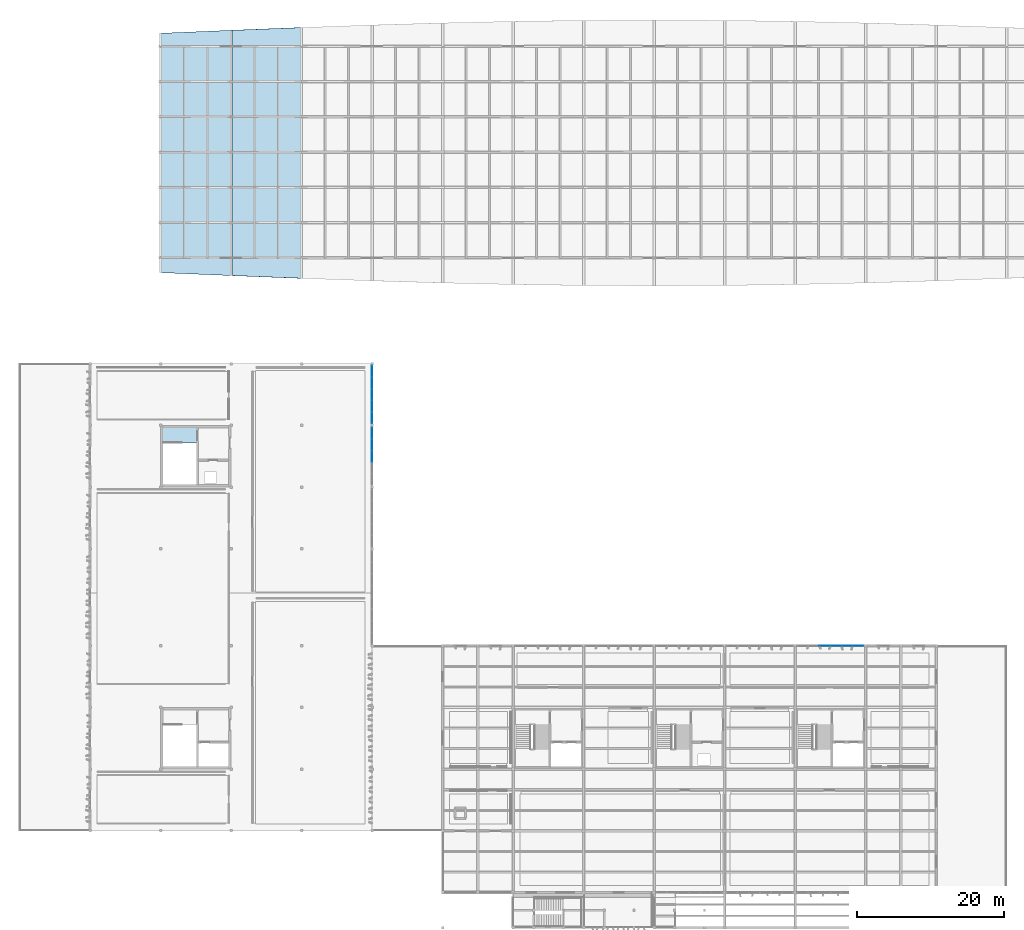
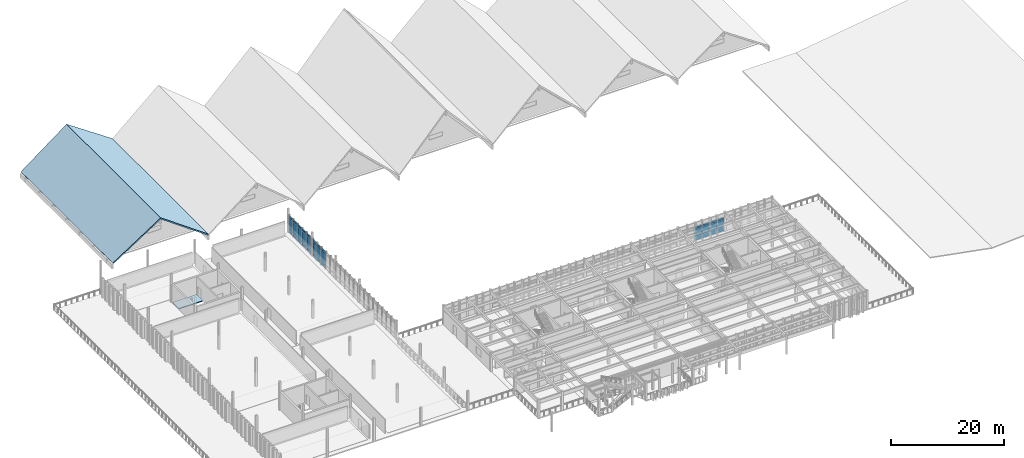
# One storey, part 21 of 42: 36 plates, 3 slabs, 3 elements without a shape of their own.
"""IFC4 building model written with IfcOpenShell, lengths in metres."""

from ifc_helpers import new_model, si_unit, direction, frame, origin, origin_2d, place, context, subcontext, project, spatial, polyline, rectangle, outline, extrude, material, layer, layer_set, type_object, element, aggregate, save


model = new_model("IFC4")

# Units and contexts
model_context = context("Model", 3, precision=1e-05, world=origin(), true_north=direction((0.0, 1.0)))
body_context = subcontext(model_context, "Body", "Model", "MODEL_VIEW")
ifc_project = project(units=[si_unit("LENGTHUNIT", "METRE"), si_unit("AREAUNIT", "SQUARE_METRE"), si_unit("VOLUMEUNIT", "CUBIC_METRE"), si_unit("PLANEANGLEUNIT", "RADIAN"), si_unit("MASSUNIT", "GRAM", prefix="KILO")], contexts=[model_context])

# Site, building, storey
site_placement = place(None, origin())
site = spatial("IfcSite", under=ifc_project, at=site_placement, CompositionType="ELEMENT")
building_placement = place(site_placement, origin())
building = spatial("IfcBuilding", under=site, at=building_placement, Name="Kolvemor Railside Polytechnic", CompositionType="ELEMENT")
storey_placement = place(building_placement, frame((0.0, 0.0, 14.39990234375)))
storey = spatial("IfcBuildingStorey", under=building, at=storey_placement, Name="L03", CompositionType="ELEMENT", Elevation=14.39990234375)

# Curtain wall, plates
ifc_material_1 = material(Name="Anodised marine aluminium and laminated low-E glass", Category="aluminium")
ifc_layer_1 = layer(ifc_material_1, 0.179931640625, Name="CW-UNIT-STD")
ifc_layer_set_1 = layer_set([ifc_layer_1], Name="Anodised marine aluminium and laminated low-E glass")
curtain_wall_type = type_object("IfcCurtainWallType", Name="CW-UNIT-STD", PredefinedType="USERDEFINED", material=ifc_layer_set_1)
curtain_wall_1_placement = place(storey_placement, origin())
curtain_wall_1 = element("IfcCurtainWall", 1, at=curtain_wall_1_placement, inside=storey, type_object=curtain_wall_type, Name="Curtain Wall L03-078", ObjectType="UNITISED CURTAIN WALL", PredefinedType="USERDEFINED")
ifc_material_2 = material(Name="Hurricane-laminated solar-control low-E glass", Category="glass")
ifc_layer_2 = layer(ifc_material_2, 0.0400390625, Name="CWP-GLZ-10")
ifc_layer_set_2 = layer_set([ifc_layer_2], Name="Hurricane-laminated solar-control low-E glass")
plate_type_1 = type_object("IfcPlateType", Name="CWP-GLZ-10", PredefinedType="CURTAIN_PANEL", material=ifc_layer_set_2)
plate_1_placement = place(storey_placement, frame((48.0, 64.199951171875, 0.06494140625), z_axis=(0.0, 0.0, 1.0), x_axis=(0.0, 1.0, 0.0)))
plate_1 = element("IfcPlate", 2, at=plate_1_placement, type_object=plate_type_1, Name="CW-STD panel 3.1", PredefinedType="CURTAIN_PANEL", context=body_context, shape_type="SweptSolid", body=[
    extrude(rectangle(XDim=1.51904296875, YDim=0.0400390625, at=origin_2d()), origin(), (0.0, 0.0, 1.0), 0.802490234375),
])
plate_2_placement = place(storey_placement, frame((48.0, 64.199951171875, 0.9326171875), z_axis=(0.0, 0.0, 1.0), x_axis=(0.0, 1.0, 0.0)))
plate_2 = element("IfcPlate", 3, at=plate_2_placement, type_object=plate_type_1, Name="CW-STD panel 3.2", PredefinedType="CURTAIN_PANEL", context=body_context, shape_type="SweptSolid", body=[
    extrude(rectangle(XDim=1.51904296875, YDim=0.0400390625, at=origin_2d()), origin(), (0.0, 0.0, 1.0), 2.284912109375),
])
plate_3_placement = place(storey_placement, frame((48.0, 64.199951171875, 3.28271484375), z_axis=(0.0, 0.0, 1.0), x_axis=(0.0, 1.0, 0.0)))
plate_3 = element("IfcPlate", 4, at=plate_3_placement, type_object=plate_type_1, Name="CW-STD panel 3.3", PredefinedType="CURTAIN_PANEL", context=body_context, shape_type="SweptSolid", body=[
    extrude(rectangle(XDim=1.51904296875, YDim=0.0400390625, at=origin_2d()), origin(), (0.0, 0.0, 1.0), 0.452392578125),
])
plate_4_placement = place(storey_placement, frame((48.0, 65.783935546875, 0.06494140625), z_axis=(0.0, 0.0, 1.0), x_axis=(0.0, 1.0, 0.0)))
plate_4 = element("IfcPlate", 5, at=plate_4_placement, type_object=plate_type_1, Name="CW-STD panel 4.1", PredefinedType="CURTAIN_PANEL", context=body_context, shape_type="SweptSolid", body=[
    extrude(rectangle(XDim=1.51904296875, YDim=0.0400390625, at=origin_2d()), origin(), (0.0, 0.0, 1.0), 0.802490234375),
])
plate_5_placement = place(storey_placement, frame((48.0, 65.783935546875, 0.9326171875), z_axis=(0.0, 0.0, 1.0), x_axis=(0.0, 1.0, 0.0)))
plate_5 = element("IfcPlate", 6, at=plate_5_placement, type_object=plate_type_1, Name="CW-STD panel 4.2", PredefinedType="CURTAIN_PANEL", context=body_context, shape_type="SweptSolid", body=[
    extrude(rectangle(XDim=1.51904296875, YDim=0.0400390625, at=origin_2d()), origin(), (0.0, 0.0, 1.0), 2.284912109375),
])
plate_6_placement = place(storey_placement, frame((48.0, 65.783935546875, 3.28271484375), z_axis=(0.0, 0.0, 1.0), x_axis=(0.0, 1.0, 0.0)))
plate_6 = element("IfcPlate", 7, at=plate_6_placement, type_object=plate_type_1, Name="CW-STD panel 4.3", PredefinedType="CURTAIN_PANEL", context=body_context, shape_type="SweptSolid", body=[
    extrude(rectangle(XDim=1.51904296875, YDim=0.0400390625, at=origin_2d()), origin(), (0.0, 0.0, 1.0), 0.452392578125),
])
plate_7_placement = place(storey_placement, frame((48.0, 67.351806640625, 0.06494140625), z_axis=(0.0, 0.0, 1.0), x_axis=(0.0, 1.0, 0.0)))
plate_7 = element("IfcPlate", 8, at=plate_7_placement, type_object=plate_type_1, Name="CW-STD panel 5.1", PredefinedType="CURTAIN_PANEL", context=body_context, shape_type="SweptSolid", body=[
    extrude(rectangle(XDim=1.486572265625, YDim=0.0400390625, at=origin_2d()), origin(), (0.0, 0.0, 1.0), 0.802490234375),
])
plate_8_placement = place(storey_placement, frame((48.0, 67.351806640625, 0.9326171875), z_axis=(0.0, 0.0, 1.0), x_axis=(0.0, 1.0, 0.0)))
plate_8 = element("IfcPlate", 9, at=plate_8_placement, type_object=plate_type_1, Name="CW-STD panel 5.2", PredefinedType="CURTAIN_PANEL", context=body_context, shape_type="SweptSolid", body=[
    extrude(rectangle(XDim=1.486572265625, YDim=0.0400390625, at=origin_2d()), origin(), (0.0, 0.0, 1.0), 2.284912109375),
])
plate_9_placement = place(storey_placement, frame((48.0, 67.351806640625, 3.28271484375), z_axis=(0.0, 0.0, 1.0), x_axis=(0.0, 1.0, 0.0)))
plate_9 = element("IfcPlate", 10, at=plate_9_placement, type_object=plate_type_1, Name="CW-STD panel 5.3", PredefinedType="CURTAIN_PANEL", context=body_context, shape_type="SweptSolid", body=[
    extrude(rectangle(XDim=1.486572265625, YDim=0.0400390625, at=origin_2d()), origin(), (0.0, 0.0, 1.0), 0.452392578125),
])
aggregate(curtain_wall_1, [plate_1, plate_2, plate_3, plate_4, plate_5, plate_6, plate_7, plate_8, plate_9])

curtain_wall_2_placement = place(storey_placement, origin())
curtain_wall_2 = element("IfcCurtainWall", 11, at=curtain_wall_2_placement, inside=storey, type_object=curtain_wall_type, Name="Curtain Wall L03-085", ObjectType="UNITISED CURTAIN WALL", PredefinedType="USERDEFINED")
ifc_material_3 = material(Name="Hurricane-laminated solar-control low-E glass", Category="glass")
ifc_layer_3 = layer(ifc_material_3, 0.0419921875, Name="CWP-GLZ-11")
ifc_layer_set_3 = layer_set([ifc_layer_3], Name="Hurricane-laminated solar-control low-E glass")
plate_type_2 = type_object("IfcPlateType", Name="CWP-GLZ-11", PredefinedType="CURTAIN_PANEL", material=ifc_layer_set_3)
plate_10_placement = place(storey_placement, frame((48.0, 69.4482421875, 0.06494140625), z_axis=(0.0, 0.0, 1.0), x_axis=(0.0, 1.0, 0.0)))
plate_10 = element("IfcPlate", 12, at=plate_10_placement, type_object=plate_type_2, Name="CW-STD panel 1.1", PredefinedType="CURTAIN_PANEL", context=body_context, shape_type="SweptSolid", body=[
    extrude(rectangle(XDim=1.486572265625, YDim=0.0419921875, at=origin_2d()), origin(), (0.0, 0.0, 1.0), 0.802490234375),
])
plate_11_placement = place(storey_placement, frame((48.0, 69.4482421875, 0.9326171875), z_axis=(0.0, 0.0, 1.0), x_axis=(0.0, 1.0, 0.0)))
plate_11 = element("IfcPlate", 13, at=plate_11_placement, type_object=plate_type_2, Name="CW-STD panel 1.2", PredefinedType="CURTAIN_PANEL", context=body_context, shape_type="SweptSolid", body=[
    extrude(rectangle(XDim=1.486572265625, YDim=0.0419921875, at=origin_2d()), origin(), (0.0, 0.0, 1.0), 2.284912109375),
])
plate_12_placement = place(storey_placement, frame((48.0, 69.4482421875, 3.28271484375), z_axis=(0.0, 0.0, 1.0), x_axis=(0.0, 1.0, 0.0)))
plate_12 = element("IfcPlate", 14, at=plate_12_placement, type_object=plate_type_2, Name="CW-STD panel 1.3", PredefinedType="CURTAIN_PANEL", context=body_context, shape_type="SweptSolid", body=[
    extrude(rectangle(XDim=1.486572265625, YDim=0.0419921875, at=origin_2d()), origin(), (0.0, 0.0, 1.0), 0.452392578125),
])
plate_13_placement = place(storey_placement, frame((48.0, 71.01611328125, 0.06494140625), z_axis=(0.0, 0.0, 1.0), x_axis=(0.0, 1.0, 0.0)))
plate_13 = element("IfcPlate", 15, at=plate_13_placement, type_object=plate_type_2, Name="CW-STD panel 2.1", PredefinedType="CURTAIN_PANEL", context=body_context, shape_type="SweptSolid", body=[
    extrude(rectangle(XDim=1.51904296875, YDim=0.0419921875, at=origin_2d()), origin(), (0.0, 0.0, 1.0), 0.802490234375),
])
plate_14_placement = place(storey_placement, frame((48.0, 71.01611328125, 0.9326171875), z_axis=(0.0, 0.0, 1.0), x_axis=(0.0, 1.0, 0.0)))
plate_14 = element("IfcPlate", 16, at=plate_14_placement, type_object=plate_type_2, Name="CW-STD panel 2.2", PredefinedType="CURTAIN_PANEL", context=body_context, shape_type="SweptSolid", body=[
    extrude(rectangle(XDim=1.51904296875, YDim=0.0419921875, at=origin_2d()), origin(), (0.0, 0.0, 1.0), 2.284912109375),
])
plate_15_placement = place(storey_placement, frame((48.0, 71.01611328125, 3.28271484375), z_axis=(0.0, 0.0, 1.0), x_axis=(0.0, 1.0, 0.0)))
plate_15 = element("IfcPlate", 17, at=plate_15_placement, type_object=plate_type_2, Name="CW-STD panel 2.3", PredefinedType="CURTAIN_PANEL", context=body_context, shape_type="SweptSolid", body=[
    extrude(rectangle(XDim=1.51904296875, YDim=0.0419921875, at=origin_2d()), origin(), (0.0, 0.0, 1.0), 0.452392578125),
])
plate_16_placement = place(storey_placement, frame((48.0, 72.60009765625, 0.06494140625), z_axis=(0.0, 0.0, 1.0), x_axis=(0.0, 1.0, 0.0)))
plate_16 = element("IfcPlate", 18, at=plate_16_placement, type_object=plate_type_2, Name="CW-STD panel 3.1", PredefinedType="CURTAIN_PANEL", context=body_context, shape_type="SweptSolid", body=[
    extrude(rectangle(XDim=1.51904296875, YDim=0.0419921875, at=origin_2d()), origin(), (0.0, 0.0, 1.0), 0.802490234375),
])
plate_17_placement = place(storey_placement, frame((48.0, 72.60009765625, 0.9326171875), z_axis=(0.0, 0.0, 1.0), x_axis=(0.0, 1.0, 0.0)))
plate_17 = element("IfcPlate", 19, at=plate_17_placement, type_object=plate_type_2, Name="CW-STD panel 3.2", PredefinedType="CURTAIN_PANEL", context=body_context, shape_type="SweptSolid", body=[
    extrude(rectangle(XDim=1.51904296875, YDim=0.0419921875, at=origin_2d()), origin(), (0.0, 0.0, 1.0), 2.284912109375),
])
plate_18_placement = place(storey_placement, frame((48.0, 72.60009765625, 3.28271484375), z_axis=(0.0, 0.0, 1.0), x_axis=(0.0, 1.0, 0.0)))
plate_18 = element("IfcPlate", 20, at=plate_18_placement, type_object=plate_type_2, Name="CW-STD panel 3.3", PredefinedType="CURTAIN_PANEL", context=body_context, shape_type="SweptSolid", body=[
    extrude(rectangle(XDim=1.51904296875, YDim=0.0419921875, at=origin_2d()), origin(), (0.0, 0.0, 1.0), 0.452392578125),
])
plate_19_placement = place(storey_placement, frame((48.0, 74.18408203125, 0.06494140625), z_axis=(0.0, 0.0, 1.0), x_axis=(0.0, 1.0, 0.0)))
plate_19 = element("IfcPlate", 21, at=plate_19_placement, type_object=plate_type_2, Name="CW-STD panel 4.1", PredefinedType="CURTAIN_PANEL", context=body_context, shape_type="SweptSolid", body=[
    extrude(rectangle(XDim=1.51904296875, YDim=0.0419921875, at=origin_2d()), origin(), (0.0, 0.0, 1.0), 0.802490234375),
])
plate_20_placement = place(storey_placement, frame((48.0, 74.18408203125, 0.9326171875), z_axis=(0.0, 0.0, 1.0), x_axis=(0.0, 1.0, 0.0)))
plate_20 = element("IfcPlate", 22, at=plate_20_placement, type_object=plate_type_2, Name="CW-STD panel 4.2", PredefinedType="CURTAIN_PANEL", context=body_context, shape_type="SweptSolid", body=[
    extrude(rectangle(XDim=1.51904296875, YDim=0.0419921875, at=origin_2d()), origin(), (0.0, 0.0, 1.0), 2.284912109375),
])
plate_21_placement = place(storey_placement, frame((48.0, 74.18408203125, 3.28271484375), z_axis=(0.0, 0.0, 1.0), x_axis=(0.0, 1.0, 0.0)))
plate_21 = element("IfcPlate", 23, at=plate_21_placement, type_object=plate_type_2, Name="CW-STD panel 4.3", PredefinedType="CURTAIN_PANEL", context=body_context, shape_type="SweptSolid", body=[
    extrude(rectangle(XDim=1.51904296875, YDim=0.0419921875, at=origin_2d()), origin(), (0.0, 0.0, 1.0), 0.452392578125),
])
plate_22_placement = place(storey_placement, frame((48.0, 75.751708984375, 0.06494140625), z_axis=(0.0, 0.0, 1.0), x_axis=(0.0, 1.0, 0.0)))
plate_22 = element("IfcPlate", 24, at=plate_22_placement, type_object=plate_type_2, Name="CW-STD panel 5.1", PredefinedType="CURTAIN_PANEL", context=body_context, shape_type="SweptSolid", body=[
    extrude(rectangle(XDim=1.486572265625, YDim=0.0419921875, at=origin_2d()), origin(), (0.0, 0.0, 1.0), 0.802490234375),
])
plate_23_placement = place(storey_placement, frame((48.0, 75.751708984375, 0.9326171875), z_axis=(0.0, 0.0, 1.0), x_axis=(0.0, 1.0, 0.0)))
plate_23 = element("IfcPlate", 25, at=plate_23_placement, type_object=plate_type_2, Name="CW-STD panel 5.2", PredefinedType="CURTAIN_PANEL", context=body_context, shape_type="SweptSolid", body=[
    extrude(rectangle(XDim=1.486572265625, YDim=0.0419921875, at=origin_2d()), origin(), (0.0, 0.0, 1.0), 2.284912109375),
])
plate_24_placement = place(storey_placement, frame((48.0, 75.751708984375, 3.28271484375), z_axis=(0.0, 0.0, 1.0), x_axis=(0.0, 1.0, 0.0)))
plate_24 = element("IfcPlate", 26, at=plate_24_placement, type_object=plate_type_2, Name="CW-STD panel 5.3", PredefinedType="CURTAIN_PANEL", context=body_context, shape_type="SweptSolid", body=[
    extrude(rectangle(XDim=1.486572265625, YDim=0.0419921875, at=origin_2d()), origin(), (0.0, 0.0, 1.0), 0.452392578125),
])
aggregate(curtain_wall_2, [plate_10, plate_11, plate_12, plate_13, plate_14, plate_15, plate_16, plate_17, plate_18, plate_19, plate_20, plate_21, plate_22, plate_23, plate_24])

curtain_wall_3_placement = place(storey_placement, origin())
curtain_wall_3 = element("IfcCurtainWall", 27, at=curtain_wall_3_placement, inside=storey, type_object=curtain_wall_type, Name="Curtain Wall L03-130", ObjectType="UNITISED CURTAIN WALL", PredefinedType="USERDEFINED")
plate_25_placement = place(storey_placement, frame((114.183837890625, 38.39990234375, 0.06494140625), z_axis=(0.0, 0.0, 1.0), x_axis=(-1.0, 0.0, 0.0)))
plate_25 = element("IfcPlate", 28, at=plate_25_placement, type_object=plate_type_2, Name="CW-STD panel 1.1", PredefinedType="CURTAIN_PANEL", context=body_context, shape_type="SweptSolid", body=[
    extrude(rectangle(XDim=1.422607421875, YDim=0.0419921875, at=origin_2d()), origin(), (0.0, 0.0, 1.0), 0.802490234375),
])
plate_26_placement = place(storey_placement, frame((114.183837890625, 38.39990234375, 0.9326171875), z_axis=(0.0, 0.0, 1.0), x_axis=(-1.0, 0.0, 0.0)))
plate_26 = element("IfcPlate", 29, at=plate_26_placement, type_object=plate_type_2, Name="CW-STD panel 1.2", PredefinedType="CURTAIN_PANEL", context=body_context, shape_type="SweptSolid", body=[
    extrude(rectangle(XDim=1.422607421875, YDim=0.0419921875, at=origin_2d()), origin(), (0.0, 0.0, 1.0), 1.534912109375),
])
plate_27_placement = place(storey_placement, frame((114.183837890625, 38.39990234375, 2.53271484375), z_axis=(0.0, 0.0, 1.0), x_axis=(-1.0, 0.0, 0.0)))
plate_27 = element("IfcPlate", 30, at=plate_27_placement, type_object=plate_type_2, Name="CW-STD panel 1.3", PredefinedType="CURTAIN_PANEL", context=body_context, shape_type="SweptSolid", body=[
    extrude(rectangle(XDim=1.422607421875, YDim=0.0419921875, at=origin_2d()), origin(), (0.0, 0.0, 1.0), 0.452392578125),
])
plate_28_placement = place(storey_placement, frame((112.679931640625, 38.39990234375, 0.06494140625), z_axis=(0.0, 0.0, 1.0), x_axis=(-1.0, 0.0, 0.0)))
plate_28 = element("IfcPlate", 31, at=plate_28_placement, type_object=plate_type_2, Name="CW-STD panel 2.1", PredefinedType="CURTAIN_PANEL", context=body_context, shape_type="SweptSolid", body=[
    extrude(rectangle(XDim=1.455078125, YDim=0.0419921875, at=origin_2d()), origin(), (0.0, 0.0, 1.0), 0.802490234375),
])
plate_29_placement = place(storey_placement, frame((112.679931640625, 38.39990234375, 0.9326171875), z_axis=(0.0, 0.0, 1.0), x_axis=(-1.0, 0.0, 0.0)))
plate_29 = element("IfcPlate", 32, at=plate_29_placement, type_object=plate_type_2, Name="CW-STD panel 2.2", PredefinedType="CURTAIN_PANEL", context=body_context, shape_type="SweptSolid", body=[
    extrude(rectangle(XDim=1.455078125, YDim=0.0419921875, at=origin_2d()), origin(), (0.0, 0.0, 1.0), 1.534912109375),
])
plate_30_placement = place(storey_placement, frame((112.679931640625, 38.39990234375, 2.53271484375), z_axis=(0.0, 0.0, 1.0), x_axis=(-1.0, 0.0, 0.0)))
plate_30 = element("IfcPlate", 33, at=plate_30_placement, type_object=plate_type_2, Name="CW-STD panel 2.3", PredefinedType="CURTAIN_PANEL", context=body_context, shape_type="SweptSolid", body=[
    extrude(rectangle(XDim=1.455078125, YDim=0.0419921875, at=origin_2d()), origin(), (0.0, 0.0, 1.0), 0.452392578125),
])
plate_31_placement = place(storey_placement, frame((111.159912109375, 38.39990234375, 0.06494140625), z_axis=(0.0, 0.0, 1.0), x_axis=(-1.0, 0.0, 0.0)))
plate_31 = element("IfcPlate", 34, at=plate_31_placement, type_object=plate_type_2, Name="CW-STD panel 3.1", PredefinedType="CURTAIN_PANEL", context=body_context, shape_type="SweptSolid", body=[
    extrude(rectangle(XDim=1.455078125, YDim=0.0419921875, at=origin_2d()), origin(), (0.0, 0.0, 1.0), 0.802490234375),
])
plate_32_placement = place(storey_placement, frame((111.159912109375, 38.39990234375, 0.9326171875), z_axis=(0.0, 0.0, 1.0), x_axis=(-1.0, 0.0, 0.0)))
plate_32 = element("IfcPlate", 35, at=plate_32_placement, type_object=plate_type_2, Name="CW-STD panel 3.2", PredefinedType="CURTAIN_PANEL", context=body_context, shape_type="SweptSolid", body=[
    extrude(rectangle(XDim=1.455078125, YDim=0.0419921875, at=origin_2d()), origin(), (0.0, 0.0, 1.0), 1.534912109375),
])
plate_33_placement = place(storey_placement, frame((111.159912109375, 38.39990234375, 2.53271484375), z_axis=(0.0, 0.0, 1.0), x_axis=(-1.0, 0.0, 0.0)))
plate_33 = element("IfcPlate", 36, at=plate_33_placement, type_object=plate_type_2, Name="CW-STD panel 3.3", PredefinedType="CURTAIN_PANEL", context=body_context, shape_type="SweptSolid", body=[
    extrude(rectangle(XDim=1.455078125, YDim=0.0419921875, at=origin_2d()), origin(), (0.0, 0.0, 1.0), 0.452392578125),
])
plate_34_placement = place(storey_placement, frame((109.639892578125, 38.39990234375, 0.06494140625), z_axis=(0.0, 0.0, 1.0), x_axis=(-1.0, 0.0, 0.0)))
plate_34 = element("IfcPlate", 37, at=plate_34_placement, type_object=plate_type_2, Name="CW-STD panel 4.1", PredefinedType="CURTAIN_PANEL", context=body_context, shape_type="SweptSolid", body=[
    extrude(rectangle(XDim=1.455078125, YDim=0.0419921875, at=origin_2d()), origin(), (0.0, 0.0, 1.0), 0.802490234375),
])
plate_35_placement = place(storey_placement, frame((109.639892578125, 38.39990234375, 0.9326171875), z_axis=(0.0, 0.0, 1.0), x_axis=(-1.0, 0.0, 0.0)))
plate_35 = element("IfcPlate", 38, at=plate_35_placement, type_object=plate_type_2, Name="CW-STD panel 4.2", PredefinedType="CURTAIN_PANEL", context=body_context, shape_type="SweptSolid", body=[
    extrude(rectangle(XDim=1.455078125, YDim=0.0419921875, at=origin_2d()), origin(), (0.0, 0.0, 1.0), 1.534912109375),
])
plate_36_placement = place(storey_placement, frame((109.639892578125, 38.39990234375, 2.53271484375), z_axis=(0.0, 0.0, 1.0), x_axis=(-1.0, 0.0, 0.0)))
plate_36 = element("IfcPlate", 39, at=plate_36_placement, type_object=plate_type_2, Name="CW-STD panel 4.3", PredefinedType="CURTAIN_PANEL", context=body_context, shape_type="SweptSolid", body=[
    extrude(rectangle(XDim=1.455078125, YDim=0.0419921875, at=origin_2d()), origin(), (0.0, 0.0, 1.0), 0.452392578125),
])
aggregate(curtain_wall_3, [plate_25, plate_26, plate_27, plate_28, plate_29, plate_30, plate_31, plate_32, plate_33, plate_34, plate_35, plate_36])

# Slabs
ifc_material_4 = material(Name="Cross-laminated timber CLT E1", Category="wood")
ifc_layer_4 = layer(ifc_material_4, 0.239990234375, Name="SLB-FP-ROOF")
ifc_layer_set_4 = layer_set([ifc_layer_4], Name="Cross-laminated timber CLT E1")
slab_type_1 = type_object("IfcSlabType", Name="SLB-FP-ROOF", PredefinedType="ROOF", material=ifc_layer_set_4)
slab_1_placement = place(storey_placement, frame((19.199951171875, 89.199951171875, -4.199951171875), z_axis=(-0.572308483417, 0.0, 0.820038413618), x_axis=(0.819558054573, -0.034222936921, 0.571973238687)))
element("IfcSlab", 40, at=slab_1_placement, inside=storey, type_object=slab_type_1, Name="Workshop Folded-Plate Roof Facet FP-BAY1-W", PredefinedType="ROOF", context=body_context, shape_type="SweptSolid", body=[
    extrude(outline(polyline([(0.0, 0.0), (11.71374938320443, 5.551115123125783e-17), (10.570639790452491, 33.38228945435323), (-1.1156710857088188, 32.58100129255622), (0.0, 0.0)])), origin(), (0.0, 0.0, -1.0), 0.239990234375),
])
slab_2_placement = place(storey_placement, frame((28.800048828125, 88.799072265625, 2.5), z_axis=(0.572318270845, 0.0, 0.820031582841), x_axis=(0.819599619793, -0.032453818774, -0.572016794231)))
element("IfcSlab", 41, at=slab_2_placement, inside=storey, type_object=slab_type_1, Name="Workshop Folded-Plate Roof Facet FP-BAY1-E", PredefinedType="ROOF", context=body_context, shape_type="SweptSolid", body=[
    extrude(outline(polyline([(0.0, 0.0), (11.712857453561831, 2.7755575615628914e-17), (10.604166546963905, 34.1441140084655), (-1.084017764102172, 33.38426057654078), (0.0, 0.0)])), origin(), (0.0, 0.0, -1.0), 0.239990234375),
])
ifc_material_5 = material(Name="Concrete C40/50", Category="concrete")
ifc_layer_5 = layer(ifc_material_5, 0.199951171875, Name="SLB-LND-200")
ifc_layer_set_5 = layer_set([ifc_layer_5], Name="Concrete C40/50")
slab_type_2 = type_object("IfcSlabType", Name="SLB-LND-200", PredefinedType="LANDING", material=ifc_layer_set_5)
slab_3_placement = place(storey_placement, frame((0.0, 0.0, -0.199951171875)))
element("IfcSlab", 42, at=slab_3_placement, inside=storey, type_object=slab_type_2, Name="ST-5 Floor Landing L03", PredefinedType="LANDING", context=body_context, shape_type="SweptSolid", body=[
    extrude(outline(polyline([(19.360107421875, 66.0), (24.2900390625, 66.0), (24.2900390625, 68.239990234375), (19.360107421875, 68.239990234375), (19.360107421875, 66.0)])), origin(), (0.0, 0.0, 1.0), 0.199951171875),
])

save(model, "model.ifc")
